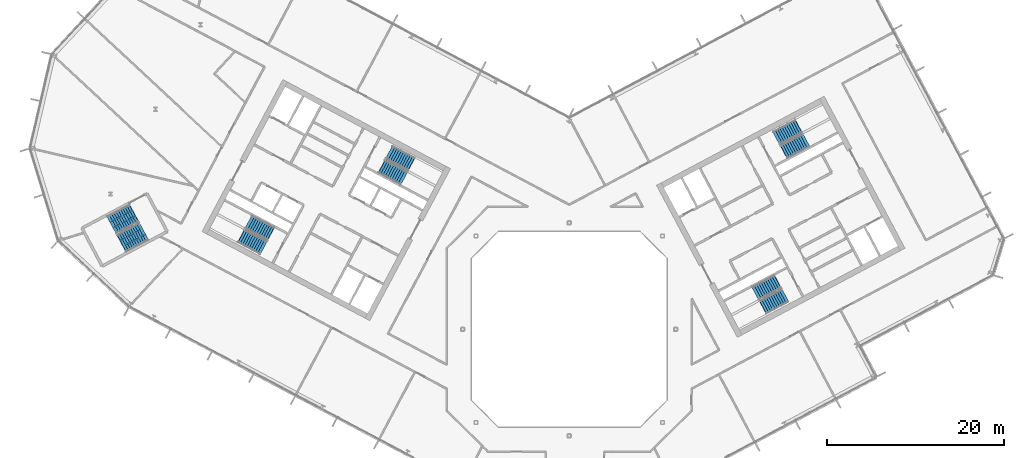
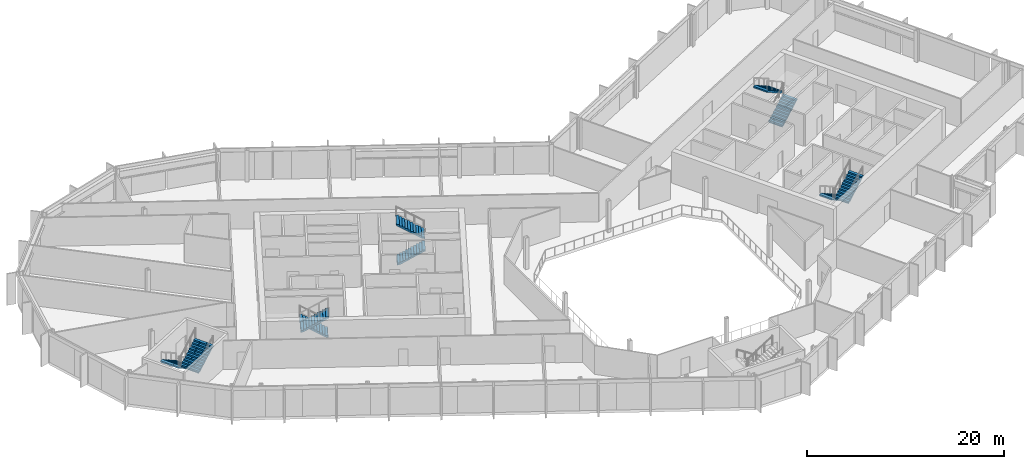
# One storey, part 18 of 27: 10 stair flights, 5 elements without a shape of their own.
"""IFC4 building model written with IfcOpenShell, lengths in metres."""

from ifc_helpers import new_model, si_unit, direction, frame, origin, place, context, subcontext, project, spatial, polyline, outline, extrude, material, type_object, element, aggregate, save


model = new_model("IFC4")

# Units and contexts
model_context = context("Model", 3, precision=1e-05, world=origin(), true_north=direction((0.0, 1.0)))
body_context = subcontext(model_context, "Body", "Model", "MODEL_VIEW")
ifc_project = project(units=[si_unit("LENGTHUNIT", "METRE"), si_unit("AREAUNIT", "SQUARE_METRE"), si_unit("VOLUMEUNIT", "CUBIC_METRE"), si_unit("PLANEANGLEUNIT", "RADIAN"), si_unit("MASSUNIT", "GRAM", prefix="KILO")], contexts=[model_context])

# Site, building, storey
site_placement = place(None, origin())
site = spatial("IfcSite", under=ifc_project, at=site_placement, CompositionType="ELEMENT")
building_placement = place(site_placement, origin())
building = spatial("IfcBuilding", under=site, at=building_placement, Name="Cormorant Relay Tower", CompositionType="ELEMENT")
storey_placement = place(building_placement, frame((0.0, 0.0, 201.300048828125)))
storey = spatial("IfcBuildingStorey", under=building, at=storey_placement, Name="L43", CompositionType="ELEMENT", Elevation=201.300048828125)

# Stair, stair flights
ifc_material_1 = material(Name="Concrete 40 MPa", Category="concrete")
stair_type_1 = type_object("IfcStairType", Name="Exit stair 1500", PredefinedType="HALF_TURN_STAIR", material=ifc_material_1)
stair_1_placement = place(storey_placement, origin())
stair_1 = element("IfcStair", 1, at=stair_1_placement, inside=storey, type_object=stair_type_1, Name="L43 Stair", PredefinedType="HALF_TURN_STAIR")
ifc_material_2 = material(Name="Concrete 40 MPa", Category="concrete")
stair_flight_type_1 = type_object("IfcStairFlightType", Name="Exit stair flight 1650", PredefinedType="STRAIGHT", material=ifc_material_2)
stair_flight_1_placement = place(storey_placement, frame((-21.114501953125, 18.33349609375, 0.0), z_axis=(0.0, 0.0, 1.0), x_axis=(0.882947592859, -0.469471562786, 0.0)))
stair_flight_1 = element("IfcStairFlight", 2, at=stair_flight_1_placement, type_object=stair_flight_type_1, Name="A1 flight 1", NumberOfRisers=11, NumberOfTreads=10, PredefinedType="STRAIGHT", RiserHeight=0.177272727, TreadLength=0.28, context=body_context, shape_type="SweptSolid", body=[
    extrude(outline(polyline([(-0.050048828125, -0.080078125), (-0.050048828125, 0.0), (0.0, 0.0), (0.0, 0.17724609375), (0.280029296875, 0.17724609375), (0.280029296875, 0.3544921875), (0.56005859375, 0.3544921875), (0.56005859375, 0.53173828125), (0.840087890625, 0.53173828125), (0.840087890625, 0.708984375), (1.1201171875, 0.708984375), (1.1201171875, 0.886474609375), (1.39990234375, 0.886474609375), (1.39990234375, 1.063720703125), (1.679931640625, 1.063720703125), (1.679931640625, 1.240966796875), (1.9599609375, 1.240966796875), (1.9599609375, 1.418212890625), (2.239990234375, 1.418212890625), (2.239990234375, 1.595458984375), (2.52001953125, 1.595458984375), (2.52001953125, 1.772705078125), (2.800048828125, 1.772705078125), (2.85009765625, 1.772705078125), (2.85009765625, 1.59521484375), (2.800048828125, 1.59521484375), (0.2802734375, 0.0), (-0.050048828125, -0.080078125)])), frame((0.0, 0.824951171875, 0.0), z_axis=(0.0, -1.0, 0.0), x_axis=(1.0, 0.0, 0.0)), (0.0, 0.0, 1.0), 1.64990234375),
])
stair_flight_2_placement = place(storey_placement, frame((-17.797119140625, 18.6083984375, 1.949951171875), z_axis=(0.0, 0.0, 1.0), x_axis=(-0.882947592859, 0.469471562786, 0.0)))
stair_flight_2 = element("IfcStairFlight", 3, at=stair_flight_2_placement, type_object=stair_flight_type_1, Name="A1 flight 2", NumberOfRisers=11, NumberOfTreads=10, PredefinedType="STRAIGHT", RiserHeight=0.177272727, TreadLength=0.28, context=body_context, shape_type="SweptSolid", body=[
    extrude(outline(polyline([(-0.050048828125, -0.080078125), (-0.050048828125, 0.0), (0.0, 0.0), (0.0, 0.17724609375), (0.280029296875, 0.17724609375), (0.280029296875, 0.3544921875), (0.56005859375, 0.3544921875), (0.56005859375, 0.53173828125), (0.840087890625, 0.53173828125), (0.840087890625, 0.708984375), (1.1201171875, 0.708984375), (1.1201171875, 0.886474609375), (1.39990234375, 0.886474609375), (1.39990234375, 1.063720703125), (1.679931640625, 1.063720703125), (1.679931640625, 1.240966796875), (1.9599609375, 1.240966796875), (1.9599609375, 1.418212890625), (2.239990234375, 1.418212890625), (2.239990234375, 1.595458984375), (2.52001953125, 1.595458984375), (2.52001953125, 1.772705078125), (2.800048828125, 1.772705078125), (2.85009765625, 1.772705078125), (2.85009765625, 1.59521484375), (2.800048828125, 1.59521484375), (0.2802734375, 0.0), (-0.050048828125, -0.080078125)])), frame((0.0, 0.824951171875, 0.0), z_axis=(0.0, -1.0, 0.0), x_axis=(1.0, 0.0, 0.0)), (0.0, 0.0, 1.0), 1.64990234375),
])
aggregate(stair_1, [stair_flight_1, stair_flight_2])

stair_2_placement = place(storey_placement, origin())
stair_2 = element("IfcStair", 4, at=stair_2_placement, inside=storey, type_object=stair_type_1, Name="L43 Stair", PredefinedType="HALF_TURN_STAIR")
stair_flight_3_placement = place(storey_placement, frame((-33.62841796875, 10.773681640625, 0.0), z_axis=(0.0, 0.0, 1.0), x_axis=(-0.882947592859, 0.469471562786, 0.0)))
stair_flight_3 = element("IfcStairFlight", 5, at=stair_flight_3_placement, type_object=stair_flight_type_1, Name="A2 flight 1", NumberOfRisers=11, NumberOfTreads=10, PredefinedType="STRAIGHT", RiserHeight=0.177272727, TreadLength=0.28, context=body_context, shape_type="SweptSolid", body=[
    extrude(outline(polyline([(-0.050048828125, -0.080078125), (-0.050048828125, 0.0), (0.0, 0.0), (0.0, 0.17724609375), (0.280029296875, 0.17724609375), (0.280029296875, 0.3544921875), (0.56005859375, 0.3544921875), (0.56005859375, 0.53173828125), (0.840087890625, 0.53173828125), (0.840087890625, 0.708984375), (1.1201171875, 0.708984375), (1.1201171875, 0.886474609375), (1.39990234375, 0.886474609375), (1.39990234375, 1.063720703125), (1.679931640625, 1.063720703125), (1.679931640625, 1.240966796875), (1.9599609375, 1.240966796875), (1.9599609375, 1.418212890625), (2.239990234375, 1.418212890625), (2.239990234375, 1.595458984375), (2.52001953125, 1.595458984375), (2.52001953125, 1.772705078125), (2.800048828125, 1.772705078125), (2.85009765625, 1.772705078125), (2.85009765625, 1.59521484375), (2.800048828125, 1.59521484375), (0.2802734375, 0.0), (-0.050048828125, -0.080078125)])), frame((0.0, 0.824951171875, 0.0), z_axis=(0.0, -1.0, 0.0), x_axis=(1.0, 0.0, 0.0)), (0.0, 0.0, 1.0), 1.64990234375),
])
stair_flight_4_placement = place(storey_placement, frame((-36.945556640625, 10.498779296875, 1.949951171875), z_axis=(0.0, 0.0, 1.0), x_axis=(0.882947592859, -0.469471562786, 0.0)))
stair_flight_4 = element("IfcStairFlight", 6, at=stair_flight_4_placement, type_object=stair_flight_type_1, Name="A2 flight 2", NumberOfRisers=11, NumberOfTreads=10, PredefinedType="STRAIGHT", RiserHeight=0.177272727, TreadLength=0.28, context=body_context, shape_type="SweptSolid", body=[
    extrude(outline(polyline([(-0.050048828125, -0.080078125), (-0.050048828125, 0.0), (0.0, 0.0), (0.0, 0.17724609375), (0.280029296875, 0.17724609375), (0.280029296875, 0.3544921875), (0.56005859375, 0.3544921875), (0.56005859375, 0.53173828125), (0.840087890625, 0.53173828125), (0.840087890625, 0.708984375), (1.1201171875, 0.708984375), (1.1201171875, 0.886474609375), (1.39990234375, 0.886474609375), (1.39990234375, 1.063720703125), (1.679931640625, 1.063720703125), (1.679931640625, 1.240966796875), (1.9599609375, 1.240966796875), (1.9599609375, 1.418212890625), (2.239990234375, 1.418212890625), (2.239990234375, 1.595458984375), (2.52001953125, 1.595458984375), (2.52001953125, 1.772705078125), (2.800048828125, 1.772705078125), (2.85009765625, 1.772705078125), (2.85009765625, 1.59521484375), (2.800048828125, 1.59521484375), (0.2802734375, 0.0), (-0.050048828125, -0.080078125)])), frame((0.0, 0.824951171875, 0.0), z_axis=(0.0, -1.0, 0.0), x_axis=(1.0, 0.0, 0.0)), (0.0, 0.0, 1.0), 1.64990234375),
])
aggregate(stair_2, [stair_flight_3, stair_flight_4])

stair_3_placement = place(storey_placement, origin())
stair_3 = element("IfcStair", 7, at=stair_3_placement, inside=storey, type_object=stair_type_1, Name="L43 Stair", PredefinedType="HALF_TURN_STAIR")
stair_flight_5_placement = place(storey_placement, frame((23.474365234375, 5.374755859375, 0.0), z_axis=(0.0, 0.0, 1.0), x_axis=(-0.882947592859, -0.469471562786, 0.0)))
stair_flight_5 = element("IfcStairFlight", 8, at=stair_flight_5_placement, type_object=stair_flight_type_1, Name="B1 flight 1", NumberOfRisers=11, NumberOfTreads=10, PredefinedType="STRAIGHT", RiserHeight=0.177272727, TreadLength=0.28, context=body_context, shape_type="SweptSolid", body=[
    extrude(outline(polyline([(-0.050048828125, -0.080078125), (-0.050048828125, 0.0), (0.0, 0.0), (0.0, 0.17724609375), (0.280029296875, 0.17724609375), (0.280029296875, 0.3544921875), (0.56005859375, 0.3544921875), (0.56005859375, 0.53173828125), (0.840087890625, 0.53173828125), (0.840087890625, 0.708984375), (1.1201171875, 0.708984375), (1.1201171875, 0.886474609375), (1.39990234375, 0.886474609375), (1.39990234375, 1.063720703125), (1.679931640625, 1.063720703125), (1.679931640625, 1.240966796875), (1.9599609375, 1.240966796875), (1.9599609375, 1.418212890625), (2.239990234375, 1.418212890625), (2.239990234375, 1.595458984375), (2.52001953125, 1.595458984375), (2.52001953125, 1.772705078125), (2.800048828125, 1.772705078125), (2.85009765625, 1.772705078125), (2.85009765625, 1.59521484375), (2.800048828125, 1.59521484375), (0.2802734375, 0.0), (-0.050048828125, -0.080078125)])), frame((0.0, 0.824951171875, 0.0), z_axis=(0.0, -1.0, 0.0), x_axis=(1.0, 0.0, 0.0)), (0.0, 0.0, 1.0), 1.64990234375),
])
stair_flight_6_placement = place(storey_placement, frame((21.84716796875, 2.470947265625, 1.949951171875), z_axis=(0.0, 0.0, 1.0), x_axis=(0.882947592859, 0.469471562786, 0.0)))
stair_flight_6 = element("IfcStairFlight", 9, at=stair_flight_6_placement, type_object=stair_flight_type_1, Name="B1 flight 2", NumberOfRisers=11, NumberOfTreads=10, PredefinedType="STRAIGHT", RiserHeight=0.177272727, TreadLength=0.28, context=body_context, shape_type="SweptSolid", body=[
    extrude(outline(polyline([(-0.050048828125, -0.080078125), (-0.050048828125, 0.0), (0.0, 0.0), (0.0, 0.17724609375), (0.280029296875, 0.17724609375), (0.280029296875, 0.3544921875), (0.56005859375, 0.3544921875), (0.56005859375, 0.53173828125), (0.840087890625, 0.53173828125), (0.840087890625, 0.708984375), (1.1201171875, 0.708984375), (1.1201171875, 0.886474609375), (1.39990234375, 0.886474609375), (1.39990234375, 1.063720703125), (1.679931640625, 1.063720703125), (1.679931640625, 1.240966796875), (1.9599609375, 1.240966796875), (1.9599609375, 1.418212890625), (2.239990234375, 1.418212890625), (2.239990234375, 1.595458984375), (2.52001953125, 1.595458984375), (2.52001953125, 1.772705078125), (2.800048828125, 1.772705078125), (2.85009765625, 1.772705078125), (2.85009765625, 1.59521484375), (2.800048828125, 1.59521484375), (0.2802734375, 0.0), (-0.050048828125, -0.080078125)])), frame((0.0, 0.824951171875, 0.0), z_axis=(0.0, -1.0, 0.0), x_axis=(1.0, 0.0, 0.0)), (0.0, 0.0, 1.0), 1.64990234375),
])
aggregate(stair_3, [stair_flight_5, stair_flight_6])

stair_4_placement = place(storey_placement, origin())
stair_4 = element("IfcStair", 10, at=stair_4_placement, inside=storey, type_object=stair_type_1, Name="L43 Stair", PredefinedType="HALF_TURN_STAIR")
stair_flight_7_placement = place(storey_placement, frame((24.20458984375, 19.976806640625, 0.0), z_axis=(0.0, 0.0, 1.0), x_axis=(0.882947592859, 0.469471562786, 0.0)))
stair_flight_7 = element("IfcStairFlight", 11, at=stair_flight_7_placement, type_object=stair_flight_type_1, Name="B2 flight 1", NumberOfRisers=11, NumberOfTreads=10, PredefinedType="STRAIGHT", RiserHeight=0.177272727, TreadLength=0.28, context=body_context, shape_type="SweptSolid", body=[
    extrude(outline(polyline([(-0.050048828125, -0.080078125), (-0.050048828125, 0.0), (0.0, 0.0), (0.0, 0.17724609375), (0.280029296875, 0.17724609375), (0.280029296875, 0.3544921875), (0.56005859375, 0.3544921875), (0.56005859375, 0.53173828125), (0.840087890625, 0.53173828125), (0.840087890625, 0.708984375), (1.1201171875, 0.708984375), (1.1201171875, 0.886474609375), (1.39990234375, 0.886474609375), (1.39990234375, 1.063720703125), (1.679931640625, 1.063720703125), (1.679931640625, 1.240966796875), (1.9599609375, 1.240966796875), (1.9599609375, 1.418212890625), (2.239990234375, 1.418212890625), (2.239990234375, 1.595458984375), (2.52001953125, 1.595458984375), (2.52001953125, 1.772705078125), (2.800048828125, 1.772705078125), (2.85009765625, 1.772705078125), (2.85009765625, 1.59521484375), (2.800048828125, 1.59521484375), (0.2802734375, 0.0), (-0.050048828125, -0.080078125)])), frame((0.0, 0.824951171875, 0.0), z_axis=(0.0, -1.0, 0.0), x_axis=(1.0, 0.0, 0.0)), (0.0, 0.0, 1.0), 1.64990234375),
])
stair_flight_8_placement = place(storey_placement, frame((25.831787109375, 22.880615234375, 1.949951171875), z_axis=(0.0, 0.0, 1.0), x_axis=(-0.882947592859, -0.469471562786, 0.0)))
stair_flight_8 = element("IfcStairFlight", 12, at=stair_flight_8_placement, type_object=stair_flight_type_1, Name="B2 flight 2", NumberOfRisers=11, NumberOfTreads=10, PredefinedType="STRAIGHT", RiserHeight=0.177272727, TreadLength=0.28, context=body_context, shape_type="SweptSolid", body=[
    extrude(outline(polyline([(-0.050048828125, -0.080078125), (-0.050048828125, 0.0), (0.0, 0.0), (0.0, 0.17724609375), (0.280029296875, 0.17724609375), (0.280029296875, 0.3544921875), (0.56005859375, 0.3544921875), (0.56005859375, 0.53173828125), (0.840087890625, 0.53173828125), (0.840087890625, 0.708984375), (1.1201171875, 0.708984375), (1.1201171875, 0.886474609375), (1.39990234375, 0.886474609375), (1.39990234375, 1.063720703125), (1.679931640625, 1.063720703125), (1.679931640625, 1.240966796875), (1.9599609375, 1.240966796875), (1.9599609375, 1.418212890625), (2.239990234375, 1.418212890625), (2.239990234375, 1.595458984375), (2.52001953125, 1.595458984375), (2.52001953125, 1.772705078125), (2.800048828125, 1.772705078125), (2.85009765625, 1.772705078125), (2.85009765625, 1.59521484375), (2.800048828125, 1.59521484375), (0.2802734375, 0.0), (-0.050048828125, -0.080078125)])), frame((0.0, 0.824951171875, 0.0), z_axis=(0.0, -1.0, 0.0), x_axis=(1.0, 0.0, 0.0)), (0.0, 0.0, 1.0), 1.64990234375),
])
aggregate(stair_4, [stair_flight_7, stair_flight_8])

ifc_material_3 = material(Name="Concrete 40 MPa", Category="concrete")
stair_type_2 = type_object("IfcStairType", Name="Remote exit stair 2200", PredefinedType="HALF_TURN_STAIR", material=ifc_material_3)
stair_5_placement = place(storey_placement, origin())
stair_5 = element("IfcStair", 13, at=stair_5_placement, inside=storey, type_object=stair_type_2, Name="L43 Stair", PredefinedType="HALF_TURN_STAIR")
ifc_material_4 = material(Name="Concrete 40 MPa", Category="concrete")
stair_flight_type_2 = type_object("IfcStairFlightType", Name="Remote exit stair flight 2200", PredefinedType="STRAIGHT", material=ifc_material_4)
stair_flight_9_placement = place(storey_placement, frame((-49.062255859375, 13.08251953125, 0.0), z_axis=(0.0, 0.0, 1.0), x_axis=(-0.882947502727, -0.4694717323, 0.0)))
stair_flight_9 = element("IfcStairFlight", 14, at=stair_flight_9_placement, type_object=stair_flight_type_2, Name="RP1 flight 1", NumberOfRisers=11, NumberOfTreads=10, PredefinedType="STRAIGHT", RiserHeight=0.177272727, TreadLength=0.28, context=body_context, shape_type="SweptSolid", body=[
    extrude(outline(polyline([(-0.050048828125, -0.080078125), (-0.050048828125, 0.0), (0.0, 0.0), (0.0, 0.17724609375), (0.280029296875, 0.17724609375), (0.280029296875, 0.3544921875), (0.56005859375, 0.3544921875), (0.56005859375, 0.53173828125), (0.840087890625, 0.53173828125), (0.840087890625, 0.708984375), (1.1201171875, 0.708984375), (1.1201171875, 0.886474609375), (1.39990234375, 0.886474609375), (1.39990234375, 1.063720703125), (1.679931640625, 1.063720703125), (1.679931640625, 1.240966796875), (1.9599609375, 1.240966796875), (1.9599609375, 1.418212890625), (2.239990234375, 1.418212890625), (2.239990234375, 1.595458984375), (2.52001953125, 1.595458984375), (2.52001953125, 1.772705078125), (2.800048828125, 1.772705078125), (2.85009765625, 1.772705078125), (2.85009765625, 1.59521484375), (2.800048828125, 1.59521484375), (0.2802734375, 0.0), (-0.050048828125, -0.080078125)])), frame((0.0, 1.10009765625, 0.0), z_axis=(0.0, -1.0, 0.0), x_axis=(1.0, 0.0, 0.0)), (0.0, 0.0, 1.0), 0.719970703125),
    extrude(outline(polyline([(-0.050048828125, -0.080078125), (-0.050048828125, 0.0), (0.0, 0.0), (0.0, 0.17724609375), (0.280029296875, 0.17724609375), (0.280029296875, 0.3544921875), (0.56005859375, 0.3544921875), (0.56005859375, 0.53173828125), (0.840087890625, 0.53173828125), (0.840087890625, 0.708984375), (1.1201171875, 0.708984375), (1.1201171875, 0.886474609375), (1.39990234375, 0.886474609375), (1.39990234375, 1.063720703125), (1.679931640625, 1.063720703125), (1.679931640625, 1.240966796875), (1.9599609375, 1.240966796875), (1.9599609375, 1.418212890625), (2.239990234375, 1.418212890625), (2.239990234375, 1.595458984375), (2.52001953125, 1.595458984375), (2.52001953125, 1.772705078125), (2.800048828125, 1.772705078125), (2.85009765625, 1.772705078125), (2.85009765625, 1.59521484375), (2.800048828125, 1.59521484375), (0.2802734375, 0.0), (-0.050048828125, -0.080078125)])), frame((0.0, 0.360107421875, 0.0), z_axis=(0.0, -1.0, 0.0), x_axis=(1.0, 0.0, 0.0)), (0.0, 0.0, 1.0), 0.719970703125),
    extrude(outline(polyline([(-0.050048828125, -0.080078125), (-0.050048828125, 0.0), (0.0, 0.0), (0.0, 0.17724609375), (0.280029296875, 0.17724609375), (0.280029296875, 0.3544921875), (0.56005859375, 0.3544921875), (0.56005859375, 0.53173828125), (0.840087890625, 0.53173828125), (0.840087890625, 0.708984375), (1.1201171875, 0.708984375), (1.1201171875, 0.886474609375), (1.39990234375, 0.886474609375), (1.39990234375, 1.063720703125), (1.679931640625, 1.063720703125), (1.679931640625, 1.240966796875), (1.9599609375, 1.240966796875), (1.9599609375, 1.418212890625), (2.239990234375, 1.418212890625), (2.239990234375, 1.595458984375), (2.52001953125, 1.595458984375), (2.52001953125, 1.772705078125), (2.800048828125, 1.772705078125), (2.85009765625, 1.772705078125), (2.85009765625, 1.59521484375), (2.800048828125, 1.59521484375), (0.2802734375, 0.0), (-0.050048828125, -0.080078125)])), frame((0.0, -0.3798828125, 0.0), z_axis=(0.0, -1.0, 0.0), x_axis=(1.0, 0.0, 0.0)), (0.0, 0.0, 1.0), 0.719970703125),
])
stair_flight_10_placement = place(storey_placement, frame((-50.431396484375, 9.693115234375, 1.949951171875), z_axis=(0.0, 0.0, 1.0), x_axis=(0.882947502727, 0.4694717323, 0.0)))
stair_flight_10 = element("IfcStairFlight", 15, at=stair_flight_10_placement, type_object=stair_flight_type_2, Name="RP1 flight 2", NumberOfRisers=11, NumberOfTreads=10, PredefinedType="STRAIGHT", RiserHeight=0.177272727, TreadLength=0.28, context=body_context, shape_type="SweptSolid", body=[
    extrude(outline(polyline([(-0.050048828125, -0.080078125), (-0.050048828125, 0.0), (0.0, 0.0), (0.0, 0.17724609375), (0.280029296875, 0.17724609375), (0.280029296875, 0.3544921875), (0.56005859375, 0.3544921875), (0.56005859375, 0.53173828125), (0.840087890625, 0.53173828125), (0.840087890625, 0.708984375), (1.1201171875, 0.708984375), (1.1201171875, 0.886474609375), (1.39990234375, 0.886474609375), (1.39990234375, 1.063720703125), (1.679931640625, 1.063720703125), (1.679931640625, 1.240966796875), (1.9599609375, 1.240966796875), (1.9599609375, 1.418212890625), (2.239990234375, 1.418212890625), (2.239990234375, 1.595458984375), (2.52001953125, 1.595458984375), (2.52001953125, 1.772705078125), (2.800048828125, 1.772705078125), (2.85009765625, 1.772705078125), (2.85009765625, 1.59521484375), (2.800048828125, 1.59521484375), (0.2802734375, 0.0), (-0.050048828125, -0.080078125)])), frame((0.0, 1.10009765625, 0.0), z_axis=(0.0, -1.0, 0.0), x_axis=(1.0, 0.0, 0.0)), (0.0, 0.0, 1.0), 0.719970703125),
    extrude(outline(polyline([(-0.050048828125, -0.080078125), (-0.050048828125, 0.0), (0.0, 0.0), (0.0, 0.17724609375), (0.280029296875, 0.17724609375), (0.280029296875, 0.3544921875), (0.56005859375, 0.3544921875), (0.56005859375, 0.53173828125), (0.840087890625, 0.53173828125), (0.840087890625, 0.708984375), (1.1201171875, 0.708984375), (1.1201171875, 0.886474609375), (1.39990234375, 0.886474609375), (1.39990234375, 1.063720703125), (1.679931640625, 1.063720703125), (1.679931640625, 1.240966796875), (1.9599609375, 1.240966796875), (1.9599609375, 1.418212890625), (2.239990234375, 1.418212890625), (2.239990234375, 1.595458984375), (2.52001953125, 1.595458984375), (2.52001953125, 1.772705078125), (2.800048828125, 1.772705078125), (2.85009765625, 1.772705078125), (2.85009765625, 1.59521484375), (2.800048828125, 1.59521484375), (0.2802734375, 0.0), (-0.050048828125, -0.080078125)])), frame((0.0, 0.360107421875, 0.0), z_axis=(0.0, -1.0, 0.0), x_axis=(1.0, 0.0, 0.0)), (0.0, 0.0, 1.0), 0.719970703125),
    extrude(outline(polyline([(-0.050048828125, -0.080078125), (-0.050048828125, 0.0), (0.0, 0.0), (0.0, 0.17724609375), (0.280029296875, 0.17724609375), (0.280029296875, 0.3544921875), (0.56005859375, 0.3544921875), (0.56005859375, 0.53173828125), (0.840087890625, 0.53173828125), (0.840087890625, 0.708984375), (1.1201171875, 0.708984375), (1.1201171875, 0.886474609375), (1.39990234375, 0.886474609375), (1.39990234375, 1.063720703125), (1.679931640625, 1.063720703125), (1.679931640625, 1.240966796875), (1.9599609375, 1.240966796875), (1.9599609375, 1.418212890625), (2.239990234375, 1.418212890625), (2.239990234375, 1.595458984375), (2.52001953125, 1.595458984375), (2.52001953125, 1.772705078125), (2.800048828125, 1.772705078125), (2.85009765625, 1.772705078125), (2.85009765625, 1.59521484375), (2.800048828125, 1.59521484375), (0.2802734375, 0.0), (-0.050048828125, -0.080078125)])), frame((0.0, -0.3798828125, 0.0), z_axis=(0.0, -1.0, 0.0), x_axis=(1.0, 0.0, 0.0)), (0.0, 0.0, 1.0), 0.719970703125),
])
aggregate(stair_5, [stair_flight_9, stair_flight_10])

save(model, "model.ifc")
